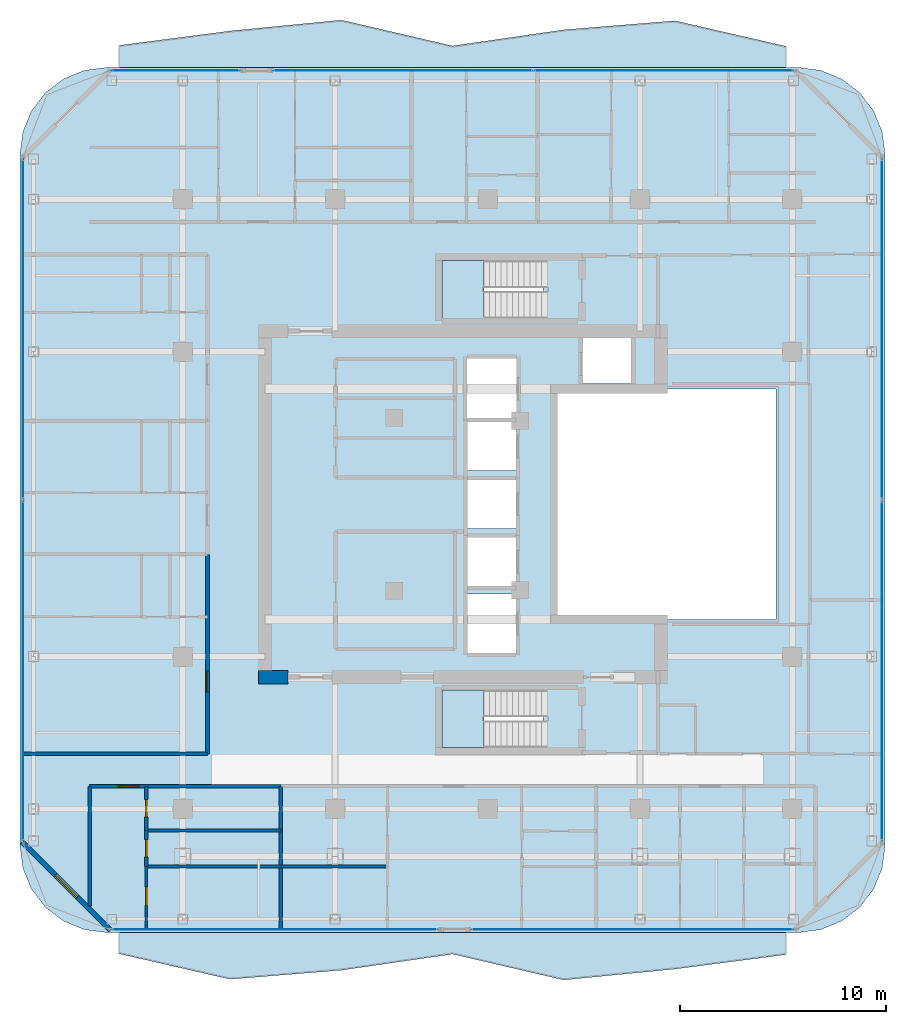
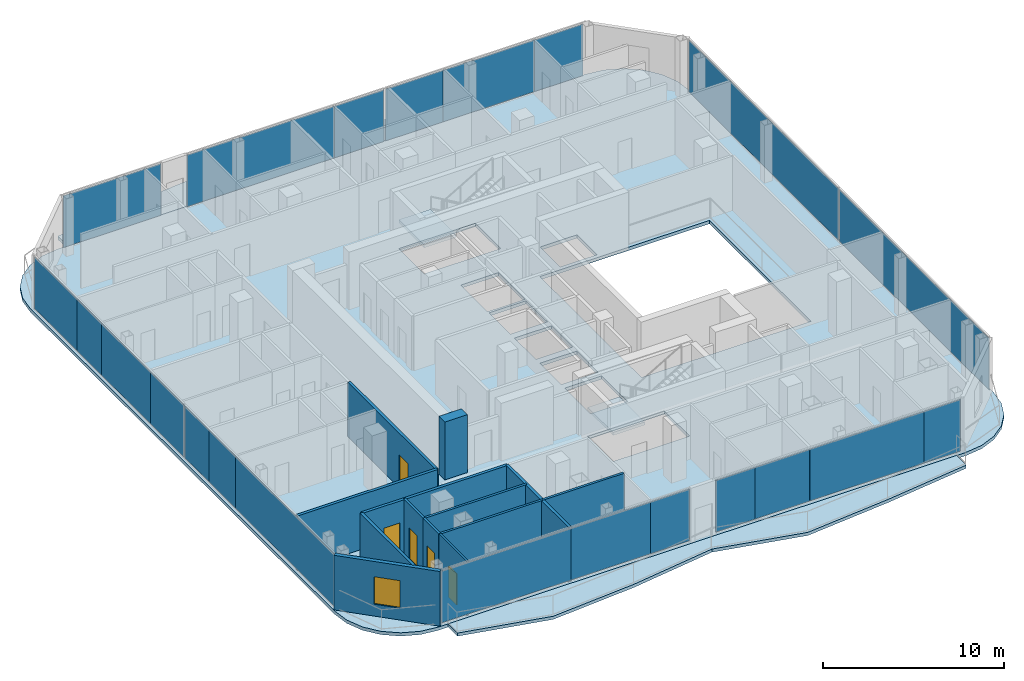
# One storey, part 15 of 23: 22 plates, 13 walls, 5 doors, 5 slabs, 1 window, 6 openings, 8 elements without a shape of their own.
"""IFC4 building model written with IfcOpenShell, lengths in metres."""

from ifc_helpers import new_model, si_unit, direction, frame, frame_2d, origin, origin_2d, place, context, subcontext, project, spatial, polyline, rectangle, outline, extrude, material, layer, layer_set, type_object, element, fill, aggregate, save


model = new_model("IFC4")

# Units and contexts
model_context = context("Model", 3, precision=1e-05, world=origin(), true_north=direction((0.0, 1.0)))
body_context = subcontext(model_context, "Body", "Model", "MODEL_VIEW")
ifc_project = project(units=[si_unit("LENGTHUNIT", "METRE"), si_unit("AREAUNIT", "SQUARE_METRE"), si_unit("VOLUMEUNIT", "CUBIC_METRE"), si_unit("PLANEANGLEUNIT", "RADIAN"), si_unit("MASSUNIT", "GRAM", prefix="KILO")], contexts=[model_context])

# Site, building, storey
site_placement = place(None, origin())
site = spatial("IfcSite", under=ifc_project, at=site_placement, CompositionType="ELEMENT")
building_placement = place(site_placement, origin())
building = spatial("IfcBuilding", under=site, at=building_placement, Name="Khorvyn Point Tower", CompositionType="ELEMENT")
storey_placement = place(building_placement, frame((0.0, 0.0, 293.699951171875)))
storey = spatial("IfcBuildingStorey", under=building, at=storey_placement, Name="L72", CompositionType="ELEMENT", Elevation=293.699951171875)

# Slabs
ifc_material_1 = material(Name="Concrete C35/45", Category="concrete")
ifc_layer_1 = layer(ifc_material_1, 0.219970703125)
ifc_layer_set_1 = layer_set([ifc_layer_1], Name="Concrete C35/45 Structural Floor Slab 220")
slab_type_1 = type_object("IfcSlabType", Name="Concrete C35/45 Structural Floor Slab 220", PredefinedType="FLOOR", material=ifc_layer_set_1)
slab_1_placement = place(storey_placement, frame((0.0, 0.0, -0.219970703125)))
element("IfcSlab", 1, at=slab_1_placement, inside=storey, type_object=slab_type_1, Name="L72 Main Structural Floor Slab", PredefinedType="FLOOR", context=body_context, shape_type="SweptSolid", body=[
    extrude(outline(polyline([(-18.5, -20.800048828125), (-19.5869140625, -20.656982421875), (-20.60009765625, -20.2373046875), (-21.4697265625, -19.56982421875), (-22.13720703125, -18.699951171875), (-22.556884765625, -17.68701171875), (-22.699951171875, -16.60009765625), (-22.699951171875, 17.0), (-22.556884765625, 18.0869140625), (-22.13720703125, 19.10009765625), (-21.4697265625, 19.9697265625), (-20.60009765625, 20.63720703125), (-19.5869140625, 21.056884765625), (-18.5, 21.199951171875), (15.10009765625, 21.199951171875), (16.18701171875, 21.056884765625), (17.199951171875, 20.63720703125), (18.06982421875, 19.9697265625), (18.7373046875, 19.10009765625), (19.156982421875, 18.0869140625), (19.300048828125, 17.0), (19.300048828125, -16.60009765625), (19.156982421875, -17.68701171875), (18.7373046875, -18.699951171875), (18.06982421875, -19.56982421875), (17.199951171875, -20.2373046875), (16.18701171875, -20.656982421875), (15.10009765625, -20.800048828125), (-18.5, -20.800048828125)]), holes=[polyline([(2.679931640625, -11.820068359375), (2.679931640625, -9.02001953125), (-2.199951171875, -9.02001953125), (-2.199951171875, -11.820068359375), (2.679931640625, -11.820068359375)]), polyline([(1.375, -7.22509765625), (1.375, -4.375), (-0.97509765625, -4.375), (-0.97509765625, -7.22509765625), (1.375, -7.22509765625)]), polyline([(1.375, -3.97509765625), (1.375, -1.625), (-0.97509765625, -1.625), (-0.97509765625, -3.97509765625), (1.375, -3.97509765625)]), polyline([(1.375, -1.175048828125), (1.375, 1.175048828125), (-0.97509765625, 1.175048828125), (-0.97509765625, -1.175048828125), (1.375, -1.175048828125)]), polyline([(14.0, -5.60009765625), (14.0, 5.60009765625), (3.199951171875, 5.60009765625), (3.199951171875, -5.60009765625), (14.0, -5.60009765625)]), polyline([(1.375, 1.625), (1.375, 3.97509765625), (-0.97509765625, 3.97509765625), (-0.97509765625, 1.625), (1.375, 1.625)]), polyline([(1.39990234375, 4.125), (1.39990234375, 7.074951171875), (-1.0, 7.074951171875), (-1.0, 4.125), (1.39990234375, 4.125)]), polyline([(4.625, 5.85009765625), (6.97509765625, 5.85009765625), (6.97509765625, 8.054931640625), (4.625, 8.054931640625), (4.625, 5.85009765625)]), polyline([(-2.199951171875, 9.02001953125), (2.679931640625, 9.02001953125), (2.679931640625, 11.820068359375), (-2.199951171875, 11.820068359375), (-2.199951171875, 9.02001953125)])]), origin(), (0.0, 0.0, 1.0), 0.219970703125),
])
ifc_material_2 = material(Name="Concrete C40/50", Category="concrete")
ifc_layer_2 = layer(ifc_material_2, 0.2099609375)
ifc_layer_set_2 = layer_set([ifc_layer_2], Name="Concrete C40/50 Rippling Balcony Slab 210")
slab_type_2 = type_object("IfcSlabType", Name="Concrete C40/50 Rippling Balcony Slab 210", PredefinedType="USERDEFINED", material=ifc_layer_set_2)
slab_2_placement = place(storey_placement, frame((0.0, 0.0, -0.2099609375)))
element("IfcSlab", 2, at=slab_2_placement, inside=storey, type_object=slab_type_2, Name="L72 North Sinusoidal Rippling Balcony", ObjectType="BALCONY", PredefinedType="USERDEFINED", context=body_context, shape_type="SweptSolid", body=[
    extrude(outline(polyline([(14.5, 21.199951171875), (14.5, 22.22802734375), (9.10009765625, 23.46875), (3.699951171875, 23.031005859375), (-1.699951171875, 22.247802734375), (-7.10009765625, 23.50390625), (-12.5, 22.974365234375), (-17.89990234375, 22.271484375), (-17.89990234375, 21.199951171875), (14.5, 21.199951171875)])), origin(), (0.0, 0.0, 1.0), 0.2099609375),
])
slab_3_placement = place(storey_placement, frame((0.0, 0.0, -0.2099609375)))
element("IfcSlab", 3, at=slab_3_placement, inside=storey, type_object=slab_type_2, Name="L72 South Sinusoidal Rippling Balcony", ObjectType="BALCONY", PredefinedType="USERDEFINED", context=body_context, shape_type="SweptSolid", body=[
    extrude(outline(polyline([(-17.89990234375, -20.800048828125), (-17.89990234375, -21.827880859375), (-12.5, -23.06884765625), (-7.10009765625, -22.630859375), (-1.699951171875, -21.84765625), (3.699951171875, -23.10400390625), (9.10009765625, -22.574462890625), (14.5, -21.87158203125), (14.5, -20.800048828125), (-17.89990234375, -20.800048828125)])), origin(), (0.0, 0.0, 1.0), 0.2099609375),
])

# Stair, slab
stair_type = type_object("IfcStairType", Name="Tower Concrete C40/50 Dogleg Exit Stair", PredefinedType="HALF_TURN_STAIR", material=ifc_material_2)
stair_1_placement = place(storey_placement, origin())
stair_1 = element("IfcStair", 4, at=stair_1_placement, inside=storey, type_object=stair_type, Name="L72 Tower Smokeproof Exit Stair South", PredefinedType="HALF_TURN_STAIR")
ifc_layer_3 = layer(ifc_material_2, 0.199951171875)
ifc_layer_set_3 = layer_set([ifc_layer_3], Name="Concrete C40/50 Stair Landing Slab 200")
slab_type_3 = type_object("IfcSlabType", Name="Concrete C40/50 Stair Landing Slab 200", PredefinedType="LANDING", material=ifc_layer_set_3)
slab_4_placement = place(storey_placement, frame((0.0, 0.0, 1.75)))
slab_4 = element("IfcSlab", 5, at=slab_4_placement, type_object=slab_type_3, Name="ST-01 landing 1", PredefinedType="LANDING", context=body_context, shape_type="SweptSolid", body=[
    extrude(outline(polyline([(-0.179931640625, -9.02001953125), (-2.199951171875, -9.02001953125), (-2.199951171875, -11.820068359375), (-0.179931640625, -11.820068359375), (-0.179931640625, -9.02001953125)])), origin(), (0.0, 0.0, 1.0), 0.199951171875),
])
aggregate(stair_1, [slab_4])

stair_2_placement = place(storey_placement, origin())
stair_2 = element("IfcStair", 6, at=stair_2_placement, inside=storey, type_object=stair_type, Name="L72 Tower Smokeproof Exit Stair North", PredefinedType="HALF_TURN_STAIR")
slab_5_placement = place(storey_placement, frame((0.0, 0.0, 1.75)))
slab_5 = element("IfcSlab", 7, at=slab_5_placement, type_object=slab_type_3, Name="ST-02 landing 1", PredefinedType="LANDING", context=body_context, shape_type="SweptSolid", body=[
    extrude(outline(polyline([(-0.179931640625, 11.820068359375), (-2.199951171875, 11.820068359375), (-2.199951171875, 9.02001953125), (-0.179931640625, 9.02001953125), (-0.179931640625, 11.820068359375)])), origin(), (0.0, 0.0, 1.0), 0.199951171875),
])
aggregate(stair_2, [slab_5])

# Curtain wall, plates
ifc_material_3 = material(Name="Anodised aluminium 6063-T6 and laminated Low-E glass", Category="aluminium")
ifc_layer_4 = layer(ifc_material_3, 0.18994140625)
ifc_layer_set_4 = layer_set([ifc_layer_4], Name="Stick-Built High-Wind Curtain Wall CW-SYS-04")
curtain_wall_type = type_object("IfcCurtainWallType", Name="Stick-Built High-Wind Curtain Wall CW-SYS-04", PredefinedType="NOTDEFINED", material=ifc_layer_set_4)
curtain_wall_1_placement = place(storey_placement, origin())
curtain_wall_1 = element("IfcCurtainWall", 8, at=curtain_wall_1_placement, inside=storey, type_object=curtain_wall_type, Name="Curtain Wall", PredefinedType="NOTDEFINED")
ifc_material_4 = material(Name="Laminated Low-E insulated glass", Category="glass")
ifc_layer_5 = layer(ifc_material_4, 0.028076171875)
ifc_layer_set_5 = layer_set([ifc_layer_5], Name="Tempered Low-E Vision Glazing Panel CW-GL28")
plate_type = type_object("IfcPlateType", Name="Tempered Low-E Vision Glazing Panel CW-GL28", PredefinedType="CURTAIN_PANEL", material=ifc_layer_set_5)
plate_1_placement = place(storey_placement, frame((0.4755859375, -20.64990234375, 0.10009765625), z_axis=(0.0, 0.0, 1.0), x_axis=(-1.0, 0.0, 0.0)))
plate_1 = element("IfcPlate", 9, at=plate_1_placement, type_object=plate_type, Name="Panel", PredefinedType="CURTAIN_PANEL", context=body_context, shape_type="SweptSolid", body=[
    extrude(rectangle(XDim=2.4970703125, YDim=0.028076171875, at=origin_2d()), origin(), (0.0, 0.0, 1.0), 3.47998046875),
])
plate_2_placement = place(storey_placement, frame((3.4755859375, -20.64990234375, 0.10009765625), z_axis=(0.0, 0.0, 1.0), x_axis=(-1.0, 0.0, 0.0)))
plate_2 = element("IfcPlate", 10, at=plate_2_placement, type_object=plate_type, Name="Panel", PredefinedType="CURTAIN_PANEL", context=body_context, shape_type="SweptSolid", body=[
    extrude(rectangle(XDim=3.487060546875, YDim=0.028076171875, at=origin_2d()), origin(), (0.0, 0.0, 1.0), 3.47998046875),
])
plate_3_placement = place(storey_placement, frame((8.864501953125, -20.64990234375, 0.10009765625), z_axis=(0.0, 0.0, 1.0), x_axis=(-1.0, 0.0, 0.0)))
plate_3 = element("IfcPlate", 11, at=plate_3_placement, type_object=plate_type, Name="Panel", PredefinedType="CURTAIN_PANEL", context=body_context, shape_type="SweptSolid", body=[
    extrude(rectangle(XDim=7.27490234375, YDim=0.028076171875, at=origin_2d()), origin(), (0.0, 0.0, 1.0), 3.47998046875),
])
plate_4_placement = place(storey_placement, frame((13.677978515625, -20.64990234375, 0.10009765625), z_axis=(0.0, 0.0, 1.0), x_axis=(-1.0, 0.0, 0.0)))
plate_4 = element("IfcPlate", 12, at=plate_4_placement, type_object=plate_type, Name="Panel", PredefinedType="CURTAIN_PANEL", context=body_context, shape_type="SweptSolid", body=[
    extrude(rectangle(XDim=2.3359375, YDim=0.028076171875, at=origin_2d()), origin(), (0.0, 0.0, 1.0), 3.47998046875),
])
aggregate(curtain_wall_1, [plate_1, plate_2, plate_3, plate_4])

curtain_wall_2_placement = place(storey_placement, origin())
curtain_wall_2 = element("IfcCurtainWall", 13, at=curtain_wall_2_placement, inside=storey, type_object=curtain_wall_type, Name="Curtain Wall", PredefinedType="NOTDEFINED")
plate_5_placement = place(storey_placement, frame((-14.114990234375, -20.64990234375, 0.10009765625), z_axis=(0.0, 0.0, 1.0), x_axis=(-1.0, 0.0, 0.0)))
plate_5 = element("IfcPlate", 14, at=plate_5_placement, type_object=plate_type, Name="Panel", PredefinedType="CURTAIN_PANEL", context=body_context, shape_type="SweptSolid", body=[
    extrude(rectangle(XDim=8.261962890625, YDim=0.028076171875, at=origin_2d()), origin(), (0.0, 0.0, 1.0), 3.47998046875),
])
plate_6_placement = place(storey_placement, frame((-7.450439453125, -20.64990234375, 0.10009765625), z_axis=(0.0, 0.0, 1.0), x_axis=(-1.0, 0.0, 0.0)))
plate_6 = element("IfcPlate", 15, at=plate_6_placement, type_object=plate_type, Name="Panel", PredefinedType="CURTAIN_PANEL", context=body_context, shape_type="SweptSolid", body=[
    extrude(rectangle(XDim=5.051025390625, YDim=0.028076171875, at=origin_2d()), origin(), (0.0, 0.0, 1.0), 3.47998046875),
])
plate_7_placement = place(storey_placement, frame((-3.6689453125, -20.64990234375, 0.10009765625), z_axis=(0.0, 0.0, 1.0), x_axis=(-1.0, 0.0, 0.0)))
plate_7 = element("IfcPlate", 16, at=plate_7_placement, type_object=plate_type, Name="Panel", PredefinedType="CURTAIN_PANEL", context=body_context, shape_type="SweptSolid", body=[
    extrude(rectangle(XDim=2.49609375, YDim=0.028076171875, at=origin_2d()), origin(), (0.0, 0.0, 1.0), 3.47998046875),
])
aggregate(curtain_wall_2, [plate_5, plate_6, plate_7])

# Curtain wall, plate
curtain_wall_3_placement = place(storey_placement, origin())
curtain_wall_3 = element("IfcCurtainWall", 17, at=curtain_wall_3_placement, inside=storey, type_object=curtain_wall_type, Name="Curtain Wall", PredefinedType="NOTDEFINED")
plate_8_placement = place(storey_placement, frame((-15.139892578125, 21.050048828125, 0.10009765625), z_axis=(0.0, 0.0, 1.0), x_axis=(1.0, 0.0, 0.0)))
plate_8 = element("IfcPlate", 18, at=plate_8_placement, type_object=plate_type, Name="Panel", PredefinedType="CURTAIN_PANEL", context=body_context, shape_type="SweptSolid", body=[
    extrude(rectangle(XDim=6.219970703125, YDim=0.028076171875, at=origin_2d()), origin(), (0.0, 0.0, 1.0), 3.47998046875),
])
aggregate(curtain_wall_3, [plate_8])

# Curtain wall, plates
curtain_wall_4_placement = place(storey_placement, origin())
curtain_wall_4 = element("IfcCurtainWall", 19, at=curtain_wall_4_placement, inside=storey, type_object=curtain_wall_type, Name="Curtain Wall", PredefinedType="NOTDEFINED")
plate_9_placement = place(storey_placement, frame((-5.680419921875, 21.050048828125, 0.10009765625), z_axis=(0.0, 0.0, 1.0), x_axis=(1.0, 0.0, 0.0)))
plate_9 = element("IfcPlate", 20, at=plate_9_placement, type_object=plate_type, Name="Panel", PredefinedType="CURTAIN_PANEL", context=body_context, shape_type="SweptSolid", body=[
    extrude(rectangle(XDim=9.410888671875, YDim=0.028076171875, at=origin_2d()), origin(), (0.0, 0.0, 1.0), 3.47998046875),
])
plate_10_placement = place(storey_placement, frame((0.6044921875, 21.050048828125, 0.10009765625), z_axis=(0.0, 0.0, 1.0), x_axis=(1.0, 0.0, 0.0)))
plate_10 = element("IfcPlate", 21, at=plate_10_placement, type_object=plate_type, Name="Panel", PredefinedType="CURTAIN_PANEL", context=body_context, shape_type="SweptSolid", body=[
    extrude(rectangle(XDim=3.14306640625, YDim=0.028076171875, at=origin_2d()), origin(), (0.0, 0.0, 1.0), 3.47998046875),
])
plate_11_placement = place(storey_placement, frame((4.109619140625, 21.050048828125, 0.10009765625), z_axis=(0.0, 0.0, 1.0), x_axis=(1.0, 0.0, 0.0)))
plate_11 = element("IfcPlate", 22, at=plate_11_placement, type_object=plate_type, Name="Panel", PredefinedType="CURTAIN_PANEL", context=body_context, shape_type="SweptSolid", body=[
    extrude(rectangle(XDim=3.65087890625, YDim=0.028076171875, at=origin_2d()), origin(), (0.0, 0.0, 1.0), 3.47998046875),
])
plate_12_placement = place(storey_placement, frame((8.8544921875, 21.050048828125, 0.10009765625), z_axis=(0.0, 0.0, 1.0), x_axis=(1.0, 0.0, 0.0)))
plate_12 = element("IfcPlate", 23, at=plate_12_placement, type_object=plate_type, Name="Panel", PredefinedType="CURTAIN_PANEL", context=body_context, shape_type="SweptSolid", body=[
    extrude(rectangle(XDim=5.822998046875, YDim=0.028076171875, at=origin_2d()), origin(), (0.0, 0.0, 1.0), 3.47998046875),
])
plate_13_placement = place(storey_placement, frame((13.31005859375, 21.050048828125, 0.10009765625), z_axis=(0.0, 0.0, 1.0), x_axis=(1.0, 0.0, 0.0)))
plate_13 = element("IfcPlate", 24, at=plate_13_placement, type_object=plate_type, Name="Panel", PredefinedType="CURTAIN_PANEL", context=body_context, shape_type="SweptSolid", body=[
    extrude(rectangle(XDim=3.072021484375, YDim=0.028076171875, at=origin_2d()), origin(), (0.0, 0.0, 1.0), 3.47998046875),
])
aggregate(curtain_wall_4, [plate_9, plate_10, plate_11, plate_12, plate_13])

curtain_wall_5_placement = place(storey_placement, origin())
curtain_wall_5 = element("IfcCurtainWall", 25, at=curtain_wall_5_placement, inside=storey, type_object=curtain_wall_type, Name="Curtain Wall", PredefinedType="NOTDEFINED")
plate_14_placement = place(storey_placement, frame((-22.550048828125, -10.882568359375, 0.10009765625), z_axis=(0.0, 0.0, 1.0), x_axis=(0.0, 1.0, 0.0)))
plate_14 = element("IfcPlate", 26, at=plate_14_placement, type_object=plate_type, Name="Panel", PredefinedType="CURTAIN_PANEL", context=body_context, shape_type="SweptSolid", body=[
    extrude(rectangle(XDim=10.927001953125, YDim=0.028076171875, at=origin_2d()), origin(), (0.0, 0.0, 1.0), 3.47998046875),
])
plate_15_placement = place(storey_placement, frame((-22.550048828125, -3.95751953125, 0.10009765625), z_axis=(0.0, 0.0, 1.0), x_axis=(0.0, 1.0, 0.0)))
plate_15 = element("IfcPlate", 27, at=plate_15_placement, type_object=plate_type, Name="Panel", PredefinedType="CURTAIN_PANEL", context=body_context, shape_type="SweptSolid", body=[
    extrude(rectangle(XDim=2.906982421875, YDim=0.028076171875, at=origin_2d()), origin(), (0.0, 0.0, 1.0), 3.47998046875),
])
plate_16_placement = place(storey_placement, frame((-22.550048828125, -1.175048828125, 0.10009765625), z_axis=(0.0, 0.0, 1.0), x_axis=(0.0, 1.0, 0.0)))
plate_16 = element("IfcPlate", 28, at=plate_16_placement, type_object=plate_type, Name="Panel", PredefinedType="CURTAIN_PANEL", context=body_context, shape_type="SweptSolid", body=[
    extrude(rectangle(XDim=2.64208984375, YDim=0.028076171875, at=origin_2d()), origin(), (0.0, 0.0, 1.0), 3.47998046875),
])
plate_17_placement = place(storey_placement, frame((-22.550048828125, 2.114990234375, 0.10009765625), z_axis=(0.0, 0.0, 1.0), x_axis=(0.0, 1.0, 0.0)))
plate_17 = element("IfcPlate", 29, at=plate_17_placement, type_object=plate_type, Name="Panel", PredefinedType="CURTAIN_PANEL", context=body_context, shape_type="SweptSolid", body=[
    extrude(rectangle(XDim=3.721923828125, YDim=0.028076171875, at=origin_2d()), origin(), (0.0, 0.0, 1.0), 3.47998046875),
])
plate_18_placement = place(storey_placement, frame((-22.550048828125, 6.679931640625, 0.10009765625), z_axis=(0.0, 0.0, 1.0), x_axis=(0.0, 1.0, 0.0)))
plate_18 = element("IfcPlate", 30, at=plate_18_placement, type_object=plate_type, Name="Panel", PredefinedType="CURTAIN_PANEL", context=body_context, shape_type="SweptSolid", body=[
    extrude(rectangle(XDim=5.39208984375, YDim=0.028076171875, at=origin_2d()), origin(), (0.0, 0.0, 1.0), 3.47998046875),
])
plate_19_placement = place(storey_placement, frame((-22.550048828125, 10.719970703125, 0.10009765625), z_axis=(0.0, 0.0, 1.0), x_axis=(0.0, 1.0, 0.0)))
plate_19 = element("IfcPlate", 31, at=plate_19_placement, type_object=plate_type, Name="Panel", PredefinedType="CURTAIN_PANEL", context=body_context, shape_type="SweptSolid", body=[
    extrude(rectangle(XDim=2.672119140625, YDim=0.028076171875, at=origin_2d()), origin(), (0.0, 0.0, 1.0), 3.47998046875),
])
plate_20_placement = place(storey_placement, frame((-22.550048828125, 14.405029296875, 0.10009765625), z_axis=(0.0, 0.0, 1.0), x_axis=(0.0, 1.0, 0.0)))
plate_20 = element("IfcPlate", 32, at=plate_20_placement, type_object=plate_type, Name="Panel", PredefinedType="CURTAIN_PANEL", context=body_context, shape_type="SweptSolid", body=[
    extrude(rectangle(XDim=4.681884765625, YDim=0.028076171875, at=origin_2d()), origin(), (0.0, 0.0, 1.0), 3.47998046875),
])
aggregate(curtain_wall_5, [plate_14, plate_15, plate_16, plate_17, plate_18, plate_19, plate_20])

curtain_wall_6_placement = place(storey_placement, origin())
curtain_wall_6 = element("IfcCurtainWall", 33, at=curtain_wall_6_placement, inside=storey, type_object=curtain_wall_type, Name="Curtain Wall", PredefinedType="NOTDEFINED")
plate_21_placement = place(storey_placement, frame((19.14990234375, 8.5, 0.10009765625), z_axis=(0.0, 0.0, 1.0), x_axis=(0.0, -1.0, 0.0)))
plate_21 = element("IfcPlate", 34, at=plate_21_placement, type_object=plate_type, Name="Panel", PredefinedType="CURTAIN_PANEL", context=body_context, shape_type="SweptSolid", body=[
    extrude(rectangle(XDim=16.5, YDim=0.028076171875, at=origin_2d()), origin(), (0.0, 0.0, 1.0), 3.47998046875),
])
plate_22_placement = place(storey_placement, frame((19.14990234375, -8.10009765625, 0.10009765625), z_axis=(0.0, 0.0, 1.0), x_axis=(0.0, -1.0, 0.0)))
plate_22 = element("IfcPlate", 35, at=plate_22_placement, type_object=plate_type, Name="Panel", PredefinedType="CURTAIN_PANEL", context=body_context, shape_type="SweptSolid", body=[
    extrude(rectangle(XDim=16.5, YDim=0.028076171875, at=origin_2d()), origin(), (0.0, 0.0, 1.0), 3.47998046875),
])
aggregate(curtain_wall_6, [plate_21, plate_22])

# Wall, opening, door
ifc_material_5 = material(Name="Double acoustic gypsum on twin steel stud", Category="steel")
ifc_layer_6 = layer(ifc_material_5, 0.179931640625)
ifc_layer_set_6 = layer_set([ifc_layer_6], Name="Acoustic Double-Stud Apartment Demising Wall 180")
wall_type_1 = type_object("IfcWallType", Name="Acoustic Double-Stud Apartment Demising Wall 180", PredefinedType="PARTITIONING", material=ifc_layer_set_6)
wall_1_placement = place(storey_placement, frame((-19.320068359375, -13.699951171875, 0.0), z_axis=(0.0, 0.0, 1.0), x_axis=(1.0, 0.0, 0.0)))
wall_1 = element("IfcWall", 36, at=wall_1_placement, inside=storey, type_object=wall_type_1, Name="Wall", PredefinedType="PARTITIONING", context=body_context, shape_type="SweptSolid", body=[
    extrude(rectangle(XDim=9.280029296875, YDim=0.179931640625, at=frame_2d((4.64013671875, 0.0))), origin(), (0.0, 0.0, 1.0), 3.679931640625),
])
opening_1_placement = place(wall_1_placement, frame((1.398193359375, 0.0, 0.0)))
opening_1 = element("IfcOpeningElement", 37, at=opening_1_placement, cuts=wall_1, Name="Opening ID-AP60", PredefinedType="OPENING", context=body_context, shape_type="SweptSolid", body=[
    extrude(rectangle(XDim=1.0, YDim=2.199951171875, at=frame_2d((0.5, 1.10009765625))), frame((0.0, 0.099853515625, 0.0), z_axis=(0.0, -1.0, 0.0), x_axis=(1.0, 0.0, 0.0)), (0.0, 0.0, 1.0), 0.199951171875),
])
ifc_material_6 = material(Name="Engineered hardwood fire-rated leaf", Category="wood")
door_type_1 = type_object("IfcDoorType", Name="Acoustic Solid-Core Timber Apartment Entrance Door 1000x2200", OperationType="NOTDEFINED", PredefinedType="DOOR", material=ifc_material_6)
door_1_placement = place(opening_1_placement, origin())
door_1 = element("IfcDoor", 38, at=door_1_placement, inside=storey, type_object=door_type_1, Name="Door", OperationType="SINGLE_SWING_LEFT", OverallHeight=2.199951171875, OverallWidth=1.0, PredefinedType="DOOR", context=body_context, shape_type="SweptSolid", body=[
    extrude(rectangle(XDim=1.0, YDim=2.199951171875, at=frame_2d((0.5, 1.10009765625))), frame((0.0, 0.02490234375, 0.0), z_axis=(0.0, -1.0, 0.0), x_axis=(1.0, 0.0, 0.0)), (0.0, 0.0, 1.0), 0.050048828125),
])
fill(opening_1, door_1)

wall_2_placement = place(storey_placement, frame((-13.60009765625, -12.1201171875, 0.0), z_axis=(0.0, 0.0, 1.0), x_axis=(0.0, 1.0, 0.0)))
wall_2 = element("IfcWall", 39, at=wall_2_placement, inside=storey, type_object=wall_type_1, Name="Wall", PredefinedType="PARTITIONING", context=body_context, shape_type="SweptSolid", body=[
    extrude(rectangle(XDim=9.68017578125, YDim=0.179931640625, at=frame_2d((4.840087890625, 0.0))), origin(), (0.0, 0.0, 1.0), 3.679931640625),
])
opening_2_placement = place(wall_2_placement, frame((3.006103515625, 0.0, 0.0)))
opening_2 = element("IfcOpeningElement", 40, at=opening_2_placement, cuts=wall_2, Name="Opening ID-AP60", PredefinedType="OPENING", context=body_context, shape_type="SweptSolid", body=[
    extrude(rectangle(XDim=1.0, YDim=2.199951171875, at=frame_2d((0.5, 1.10009765625))), frame((0.0, 0.099853515625, 0.0), z_axis=(0.0, -1.0, 0.0), x_axis=(1.0, 0.0, 0.0)), (0.0, 0.0, 1.0), 0.199951171875),
])
door_2_placement = place(opening_2_placement, origin())
door_2 = element("IfcDoor", 41, at=door_2_placement, inside=storey, type_object=door_type_1, Name="Door", OperationType="SINGLE_SWING_RIGHT", OverallHeight=2.199951171875, OverallWidth=1.0, PredefinedType="DOOR", context=body_context, shape_type="SweptSolid", body=[
    extrude(rectangle(XDim=1.0, YDim=2.199951171875, at=frame_2d((0.5, 1.10009765625))), frame((0.0, 0.02490234375, 0.0), z_axis=(0.0, -1.0, 0.0), x_axis=(1.0, 0.0, 0.0)), (0.0, 0.0, 1.0), 0.050048828125),
])
fill(opening_2, door_2)

# Walls
wall_3_placement = place(storey_placement, frame((-19.320068359375, -19.510009765625, 0.0), z_axis=(0.0, 0.0, 1.0), x_axis=(0.0, 1.0, 0.0)))
element("IfcWall", 42, at=wall_3_placement, inside=storey, type_object=wall_type_1, Name="Wall", PredefinedType="PARTITIONING", context=body_context, shape_type="SweptSolid", body=[
    extrude(rectangle(XDim=5.81005859375, YDim=0.179931640625, at=frame_2d((2.905029296875, 0.0))), origin(), (0.0, 0.0, 1.0), 3.679931640625),
])
wall_4_placement = place(storey_placement, frame((-10.0400390625, -20.6298828125, 0.0), z_axis=(0.0, 0.0, 1.0), x_axis=(0.0, 1.0, 0.0)))
element("IfcWall", 43, at=wall_4_placement, inside=storey, type_object=wall_type_1, Name="Wall", PredefinedType="PARTITIONING", context=body_context, shape_type="SweptSolid", body=[
    extrude(rectangle(XDim=6.929931640625, YDim=0.179931640625, at=frame_2d((3.46484375, 0.0))), origin(), (0.0, 0.0, 1.0), 3.679931640625),
])
wall_5_placement = place(storey_placement, frame((-22.530029296875, -12.1201171875, 0.0), z_axis=(0.0, 0.0, 1.0), x_axis=(1.0, 0.0, 0.0)))
element("IfcWall", 44, at=wall_5_placement, inside=storey, type_object=wall_type_1, Name="Wall", PredefinedType="PARTITIONING", context=body_context, shape_type="SweptSolid", body=[
    extrude(rectangle(XDim=8.929931640625, YDim=0.179931640625, at=frame_2d((4.46484375, 0.0))), origin(), (0.0, 0.0, 1.0), 3.679931640625),
])

# Wall, opening, window
ifc_material_7 = material(Name="Pale anodised aluminium rainscreen on steel stud", Category="steel")
ifc_layer_7 = layer(ifc_material_7, 0.239990234375)
ifc_layer_set_7 = layer_set([ifc_layer_7], Name="Anodised Aluminium Insulated Corner Spandrel Wall 240")
wall_type_2 = type_object("IfcWallType", Name="Anodised Aluminium Insulated Corner Spandrel Wall 240", PredefinedType="SOLIDWALL", material=ifc_layer_set_7)
wall_6_placement = place(storey_placement, frame((-18.3076171875, -20.6923828125, 0.0), z_axis=(0.0, 0.0, 1.0), x_axis=(-0.707106781187, 0.707106781187, 0.0)))
wall_6 = element("IfcWall", 45, at=wall_6_placement, inside=storey, type_object=wall_type_2, Name="L72 Rounded Corner Wall SW", PredefinedType="SOLIDWALL", context=body_context, shape_type="SweptSolid", body=[
    extrude(rectangle(XDim=6.059326171875, YDim=0.239990234375, at=frame_2d((3.02978515625, 0.0))), origin(), (0.0, 0.0, 1.0), 3.679931640625),
])
opening_3_placement = place(wall_6_placement, frame((2.27978515625, 0.0, 0.800048828125)))
opening_3 = element("IfcOpeningElement", 46, at=opening_3_placement, cuts=wall_6, Name="Opening WN-1518", PredefinedType="OPENING", context=body_context, shape_type="SweptSolid", body=[
    extrude(rectangle(XDim=1.5, YDim=1.85009765625, at=frame_2d((0.75, 0.925048828125))), frame((0.0, 0.1298828125, 0.0), z_axis=(0.0, -1.0, 0.0), x_axis=(1.0, 0.0, 0.0)), (0.0, 0.0, 1.0), 0.260009765625),
])
window_type = type_object("IfcWindowType", Name="Anodised Aluminium Rounded-Corner Panoramic Window 1500x1850", PartitioningType="SINGLE_PANEL", PredefinedType="WINDOW", material=ifc_material_3)
window_placement = place(opening_3_placement, origin())
window = element("IfcWindow", 47, at=window_placement, inside=storey, type_object=window_type, Name="L72 Corner Panoramic Window SW", OverallHeight=1.85009765625, OverallWidth=1.5, PartitioningType="SINGLE_PANEL", PredefinedType="WINDOW", context=body_context, shape_type="SweptSolid", body=[
    extrude(rectangle(XDim=1.5, YDim=1.85009765625, at=frame_2d((0.75, 0.925048828125))), frame((0.0, 0.030029296875, 0.0), z_axis=(0.0, -1.0, 0.0), x_axis=(1.0, 0.0, 0.0)), (0.0, 0.0, 1.0), 0.06005859375),
])
fill(opening_3, window)

# Wall
ifc_layer_8 = layer(ifc_material_2, 0.64990234375)
ifc_layer_set_8 = layer_set([ifc_layer_8], Name="Concrete C40/50 Core Shear Wall 650")
wall_type_3 = type_object("IfcWallType", Name="Concrete C40/50 Core Shear Wall 650", PredefinedType="SHEAR", material=ifc_layer_set_8)
wall_7_placement = place(storey_placement, frame((-11.125, -8.39990234375, 0.0), z_axis=(0.0, 0.0, 1.0), x_axis=(1.0, 0.0, 0.0)))
element("IfcWall", 48, at=wall_7_placement, inside=storey, type_object=wall_type_3, Name="Wall", PredefinedType="SHEAR", context=body_context, shape_type="SweptSolid", body=[
    extrude(rectangle(XDim=1.425048828125, YDim=0.64990234375, at=frame_2d((0.71240234375, 0.0))), origin(), (0.0, 0.0, 1.0), 3.900146484375),
])

# Wall, opening, door
ifc_material_8 = material(Name="Gypsum plasterboard on steel stud", Category="steel")
ifc_layer_9 = layer(ifc_material_8, 0.1201171875)
ifc_layer_set_9 = layer_set([ifc_layer_9], Name="Gypsum Acoustic Stud Room Partition Wall 120")
wall_type_4 = type_object("IfcWallType", Name="Gypsum Acoustic Stud Room Partition Wall 120", PredefinedType="PARTITIONING", material=ifc_layer_set_9)
wall_8_placement = place(storey_placement, frame((-16.570068359375, -20.6298828125, 0.0), z_axis=(0.0, 0.0, 1.0), x_axis=(0.0, 1.0, 0.0)))
wall_8 = element("IfcWall", 49, at=wall_8_placement, inside=storey, type_object=wall_type_4, Name="Wall", PredefinedType="PARTITIONING", context=body_context, shape_type="SweptSolid", body=[
    extrude(rectangle(XDim=3.039794921875, YDim=0.1201171875, at=frame_2d((1.52001953125, 0.0))), origin(), (0.0, 0.0, 1.0), 3.679931640625),
])
opening_4_placement = place(wall_8_placement, frame((1.152587890625, 0.0, 0.0)))
opening_4 = element("IfcOpeningElement", 50, at=opening_4_placement, cuts=wall_8, Name="Opening ID-RM90", PredefinedType="OPENING", context=body_context, shape_type="SweptSolid", body=[
    extrude(rectangle(XDim=0.89990234375, YDim=2.10009765625, at=frame_2d((0.449951171875, 1.050048828125))), frame((0.0, 0.070068359375, 0.0), z_axis=(0.0, -1.0, 0.0), x_axis=(1.0, 0.0, 0.0)), (0.0, 0.0, 1.0), 0.14013671875),
])
ifc_material_9 = material(Name="Engineered oak veneer timber", Category="wood")
door_type_2 = type_object("IfcDoorType", Name="Flush Engineered Timber Room Door 900x2100", OperationType="NOTDEFINED", PredefinedType="DOOR", material=ifc_material_9)
door_3_placement = place(opening_4_placement, origin())
door_3 = element("IfcDoor", 51, at=door_3_placement, inside=storey, type_object=door_type_2, Name="Door", OperationType="SINGLE_SWING_RIGHT", OverallHeight=2.10009765625, OverallWidth=0.89990234375, PredefinedType="DOOR", context=body_context, shape_type="SweptSolid", body=[
    extrude(rectangle(XDim=0.89990234375, YDim=2.10009765625, at=frame_2d((0.449951171875, 1.050048828125))), frame((0.0, 0.02490234375, 0.0), z_axis=(0.0, -1.0, 0.0), x_axis=(1.0, 0.0, 0.0)), (0.0, 0.0, 1.0), 0.050048828125),
])
fill(opening_4, door_3)

ifc_material_10 = material(Name="Moisture-resistant gypsum and cement board", Category="gypsum")
ifc_layer_10 = layer(ifc_material_10, 0.14990234375)
ifc_layer_set_10 = layer_set([ifc_layer_10], Name="Moisture-Resistant Wet-Room Partition Wall 150")
wall_type_5 = type_object("IfcWallType", Name="Moisture-Resistant Wet-Room Partition Wall 150", PredefinedType="PARTITIONING", material=ifc_layer_set_10)
wall_9_placement = place(storey_placement, frame((-16.570068359375, -15.839111328125, 0.0), z_axis=(0.0, 0.0, 1.0), x_axis=(0.0, 1.0, 0.0)))
wall_9 = element("IfcWall", 52, at=wall_9_placement, inside=storey, type_object=wall_type_5, Name="Wall", PredefinedType="PARTITIONING", context=body_context, shape_type="SweptSolid", body=[
    extrude(rectangle(XDim=2.13916015625, YDim=0.14990234375, at=frame_2d((1.069580078125, 0.0))), origin(), (0.0, 0.0, 1.0), 3.679931640625),
])
opening_5_placement = place(wall_9_placement, frame((0.64453125, 0.0, 0.0)))
opening_5 = element("IfcOpeningElement", 53, at=opening_5_placement, cuts=wall_9, Name="Opening ID-WC85", PredefinedType="OPENING", context=body_context, shape_type="SweptSolid", body=[
    extrude(rectangle(XDim=0.85009765625, YDim=2.10009765625, at=frame_2d((0.425048828125, 1.050048828125))), frame((0.0, 0.0849609375, 0.0), z_axis=(0.0, -1.0, 0.0), x_axis=(1.0, 0.0, 0.0)), (0.0, 0.0, 1.0), 0.169921875),
])
ifc_material_11 = material(Name="High-pressure laminate on moisture-resistant core", Category="wood")
door_type_3 = type_object("IfcDoorType", Name="Moisture-Resistant Accessible Washroom Door 850x2100", OperationType="NOTDEFINED", PredefinedType="DOOR", material=ifc_material_11)
door_4_placement = place(opening_5_placement, origin())
door_4 = element("IfcDoor", 54, at=door_4_placement, inside=storey, type_object=door_type_3, Name="Door", OperationType="SINGLE_SWING_RIGHT", OverallHeight=2.10009765625, OverallWidth=0.85009765625, PredefinedType="DOOR", context=body_context, shape_type="SweptSolid", body=[
    extrude(rectangle(XDim=0.85009765625, YDim=2.10009765625, at=frame_2d((0.425048828125, 1.050048828125))), frame((0.0, 0.02490234375, 0.0), z_axis=(0.0, -1.0, 0.0), x_axis=(1.0, 0.0, 0.0)), (0.0, 0.0, 1.0), 0.050048828125),
])
fill(opening_5, door_4)

wall_10_placement = place(storey_placement, frame((-16.570068359375, -17.590087890625, 0.0), z_axis=(0.0, 0.0, 1.0), x_axis=(0.0, 1.0, 0.0)))
wall_10 = element("IfcWall", 55, at=wall_10_placement, inside=storey, type_object=wall_type_5, Name="Wall", PredefinedType="PARTITIONING", context=body_context, shape_type="SweptSolid", body=[
    extrude(rectangle(XDim=1.7509765625, YDim=0.14990234375, at=frame_2d((0.87548828125, 0.0))), origin(), (0.0, 0.0, 1.0), 3.679931640625),
])
opening_6_placement = place(wall_10_placement, frame((0.450439453125, 0.0, 0.0)))
opening_6 = element("IfcOpeningElement", 56, at=opening_6_placement, cuts=wall_10, Name="Opening ID-WC85", PredefinedType="OPENING", context=body_context, shape_type="SweptSolid", body=[
    extrude(rectangle(XDim=0.85009765625, YDim=2.10009765625, at=frame_2d((0.425048828125, 1.050048828125))), frame((0.0, 0.0849609375, 0.0), z_axis=(0.0, -1.0, 0.0), x_axis=(1.0, 0.0, 0.0)), (0.0, 0.0, 1.0), 0.169921875),
])
door_5_placement = place(opening_6_placement, origin())
door_5 = element("IfcDoor", 57, at=door_5_placement, inside=storey, type_object=door_type_3, Name="Door", OperationType="SINGLE_SWING_LEFT", OverallHeight=2.10009765625, OverallWidth=0.85009765625, PredefinedType="DOOR", context=body_context, shape_type="SweptSolid", body=[
    extrude(rectangle(XDim=0.85009765625, YDim=2.10009765625, at=frame_2d((0.425048828125, 1.050048828125))), frame((0.0, 0.02490234375, 0.0), z_axis=(0.0, -1.0, 0.0), x_axis=(1.0, 0.0, 0.0)), (0.0, 0.0, 1.0), 0.050048828125),
])
fill(opening_6, door_5)

# Walls
for number, where, z_axis, x_axis, name in (
    (58, (-16.570068359375, -15.839111328125, 0.0), (0.0, 0.0, 1.0), (1.0, 0.0, 0.0), "Wall"),
    (59, (-16.570068359375, -17.590087890625, 0.0), (0.0, 0.0, 1.0), (1.0, 0.0, 0.0), "Wall"),
):
    element("IfcWall", number, at=place(storey_placement, frame(where, z_axis=z_axis, x_axis=x_axis)), inside=storey, type_object=wall_type_5, Name=name, PredefinedType="PARTITIONING", context=body_context, shape_type="SweptSolid", body=[
        extrude(rectangle(XDim=6.530029296875, YDim=0.14990234375, at=frame_2d((3.26513671875, 0.0))), origin(), (0.0, 0.0, 1.0), 3.679931640625),
    ])
wall_11_placement = place(storey_placement, frame((-10.0400390625, -17.590087890625, 0.0), z_axis=(0.0, 0.0, 1.0), x_axis=(1.0, 0.0, 0.0)))
element("IfcWall", 60, at=wall_11_placement, inside=storey, type_object=wall_type_5, Name="Wall", PredefinedType="PARTITIONING", context=body_context, shape_type="SweptSolid", body=[
    extrude(rectangle(XDim=5.178955078125, YDim=0.14990234375, at=frame_2d((2.58935546875, 0.0))), origin(), (0.0, 0.0, 1.0), 3.679931640625),
])

save(model, "model.ifc")
